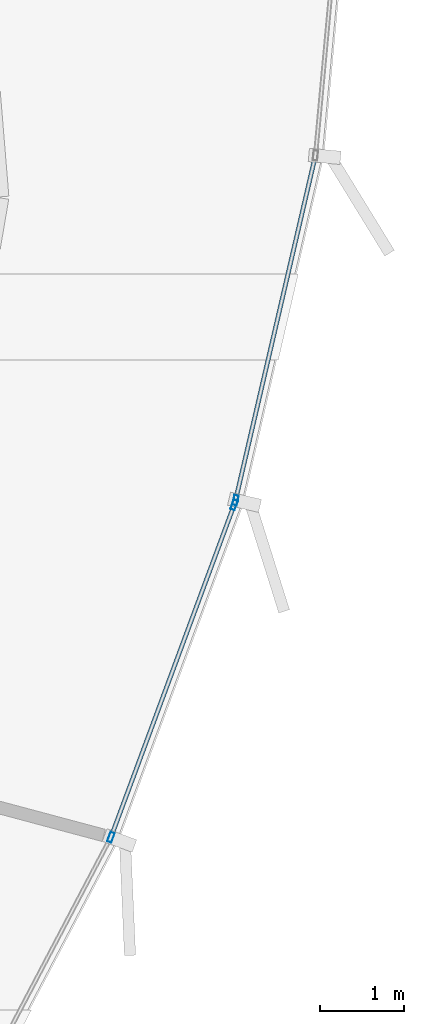
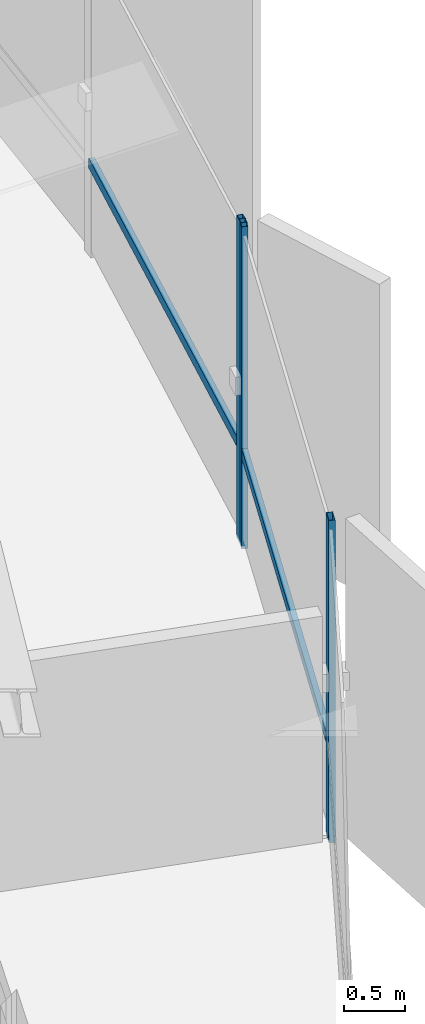
# One storey, part 15 of 33: 5 members, 2 elements without a shape of their own.
"""IFC4 building model written with IfcOpenShell, lengths in metres."""

from ifc_helpers import new_model, si_unit, direction, frame, origin, origin_2d, place, context, subcontext, project, spatial, hollow_rectangle, extrude, source, transform, mapped, material, layer, layer_set, material_profile, profile_set, type_object, element, aggregate, save


model = new_model("IFC4")

# Units and contexts
model_context = context("Model", 3, precision=1e-05, world=origin(), true_north=direction((0.0, 1.0)))
body_context = subcontext(model_context, "Body", "Model", "MODEL_VIEW")
ifc_project = project(units=[si_unit("LENGTHUNIT", "METRE"), si_unit("AREAUNIT", "SQUARE_METRE"), si_unit("VOLUMEUNIT", "CUBIC_METRE"), si_unit("PLANEANGLEUNIT", "RADIAN"), si_unit("MASSUNIT", "GRAM", prefix="KILO"), si_unit("THERMODYNAMICTEMPERATUREUNIT", "KELVIN")], contexts=[model_context])

# Site, building, storey
site_placement = place(None, origin())
site = spatial("IfcSite", under=ifc_project, at=site_placement, CompositionType="ELEMENT")
building_placement = place(site_placement, origin())
building = spatial("IfcBuilding", under=site, at=building_placement, Name="Kethvar Cultural Tower", CompositionType="ELEMENT")
storey_placement = place(building_placement, frame((0.0, 0.0, 238.75)))
storey = spatial("IfcBuildingStorey", under=building, at=storey_placement, Name="L62", CompositionType="ELEMENT", Elevation=238.75)

# Curtain wall, members
ifc_material = material(Name="Aluminium 6063-T6", Category="aluminium")
ifc_layer = layer(ifc_material, 0.179931640625, Name="Aluminium 6063-T6", Category="aluminium")
ifc_layer_set = layer_set([ifc_layer], Name="Aluminium 6063-T6 (180 mm)")
curtain_wall_type = type_object("IfcCurtainWallType", Name="CW-SYS-05-Z56", PredefinedType="NOTDEFINED", material=ifc_layer_set)
curtain_wall_1_placement = place(storey_placement, origin())
curtain_wall_1 = element("IfcCurtainWall", 1, at=curtain_wall_1_placement, inside=storey, type_object=curtain_wall_type, Name="L62 Curtain Wall Run 05", PredefinedType="NOTDEFINED")
ifc_material_profile_1 = material_profile(ifc_material, hollow_rectangle(XDim=0.054931640625, YDim=0.1201171875, WallThickness=0.00390625, at=origin_2d()), Name="Aluminium 6063-T6 — RHS120x55x4")
ifc_profile_set_1 = profile_set([ifc_material_profile_1], Name="Aluminium 6063-T6 — RHS120x55x4")
member_type_1 = type_object("IfcMemberType", Name="CW-SYS-05-Z56-MUL", PredefinedType="MULLION", material=ifc_profile_set_1)
shared_shape_1 = source(origin(), body_context, "Body", "SweptSolid", [
    extrude(hollow_rectangle(XDim=0.054931640625, YDim=0.1201171875, WallThickness=0.00390625, at=origin_2d()), origin(), (0.0, 0.0, 1.0), 3.2099609375),
])
member_1_placement = place(storey_placement, frame((65.7900390625, 22.693115234375, 0.0), z_axis=(0.0, 0.0, 1.0), x_axis=(-0.937646499297, 0.347590336971, 0.0)))
member_1 = element("IfcMember", 2, at=member_1_placement, type_object=member_type_1, Name="CW-L62-R05 Mullion 6", PredefinedType="MULLION", context=body_context, shape_type="MappedRepresentation", body=[
    mapped(shared_shape_1, transform((0.0, 0.0, 0.0), scale=1.0)),
])
member_2_placement = place(storey_placement, frame((67.26318359375, 26.66650390625, 0.0), z_axis=(0.0, 0.0, 1.0), x_axis=(-0.937646499297, 0.347590336971, 0.0)))
member_2 = element("IfcMember", 3, at=member_2_placement, type_object=member_type_1, Name="CW-L62-R05 Mullion 7", PredefinedType="MULLION", context=body_context, shape_type="MappedRepresentation", body=[
    mapped(shared_shape_1, transform((0.0, 0.0, 0.0), scale=1.0)),
])

curtain_wall_2_placement = place(storey_placement, origin())
curtain_wall_2 = element("IfcCurtainWall", 4, at=curtain_wall_2_placement, inside=storey, type_object=curtain_wall_type, Name="L62 Curtain Wall Run 06", PredefinedType="NOTDEFINED")
member_3_placement = place(storey_placement, frame((67.27978515625, 26.722900390625, 0.0), z_axis=(0.0, 0.0, 1.0), x_axis=(-0.974212781888, 0.2256312381, 0.0)))
member_3 = element("IfcMember", 5, at=member_3_placement, type_object=member_type_1, Name="CW-L62-R06 Mullion 1", PredefinedType="MULLION", context=body_context, shape_type="MappedRepresentation", body=[
    mapped(shared_shape_1, transform((0.0, 0.0, 0.0), scale=1.0)),
])
ifc_material_profile_2 = material_profile(ifc_material, hollow_rectangle(XDim=0.050048828125, YDim=0.10009765625, WallThickness=0.00390625, at=origin_2d()), Name="Aluminium 6063-T6 — RHS100x50x4")
ifc_profile_set_2 = profile_set([ifc_material_profile_2], Name="Aluminium 6063-T6 — RHS100x50x4")
member_type_2 = type_object("IfcMemberType", Name="CW-SYS-05-Z56-TRN", PredefinedType="USERDEFINED", material=ifc_profile_set_2)
shared_shape_2 = source(origin(), body_context, "Body", "SweptSolid", [
    extrude(hollow_rectangle(XDim=0.050048828125, YDim=0.10009765625, WallThickness=0.00390625, at=origin_2d()), origin(), (0.0, 0.0, 1.0), 4.199951171875),
])
member_4_placement = place(storey_placement, frame((67.28076171875, 26.7265625, 0.949951171875), z_axis=(0.225661824542, 0.97420569745, 0.0), x_axis=(-0.97420569745, 0.225661824542, 0.0)))
member_4 = element("IfcMember", 6, at=member_4_placement, type_object=member_type_2, Name="CW-L62-R06 Transom 1", ObjectType="TRANSOM", PredefinedType="USERDEFINED", context=body_context, shape_type="MappedRepresentation", body=[
    mapped(shared_shape_2, transform((0.0, 0.0, 0.0), scale=1.0)),
])
aggregate(curtain_wall_2, [member_3, member_4])

# Member
shared_shape_3 = source(origin(), body_context, "Body", "SweptSolid", [
    extrude(hollow_rectangle(XDim=0.050048828125, YDim=0.10009765625, WallThickness=0.00390625, at=origin_2d()), origin(), (0.0, 0.0, 1.0), 4.194580078125),
])
member_5_placement = place(storey_placement, frame((65.8037109375, 22.72998046875, 0.949951171875), z_axis=(0.347587311688, 0.937647620779, 0.0), x_axis=(-0.937647620779, 0.347587311688, 0.0)))
member_5 = element("IfcMember", 7, at=member_5_placement, type_object=member_type_2, Name="CW-L62-R05 Transom 6", ObjectType="TRANSOM", PredefinedType="USERDEFINED", context=body_context, shape_type="MappedRepresentation", body=[
    mapped(shared_shape_3, transform((0.0, 0.0, 0.0), scale=1.0)),
])

aggregate(curtain_wall_1, [member_1, member_2, member_5])

save(model, "model.ifc")
